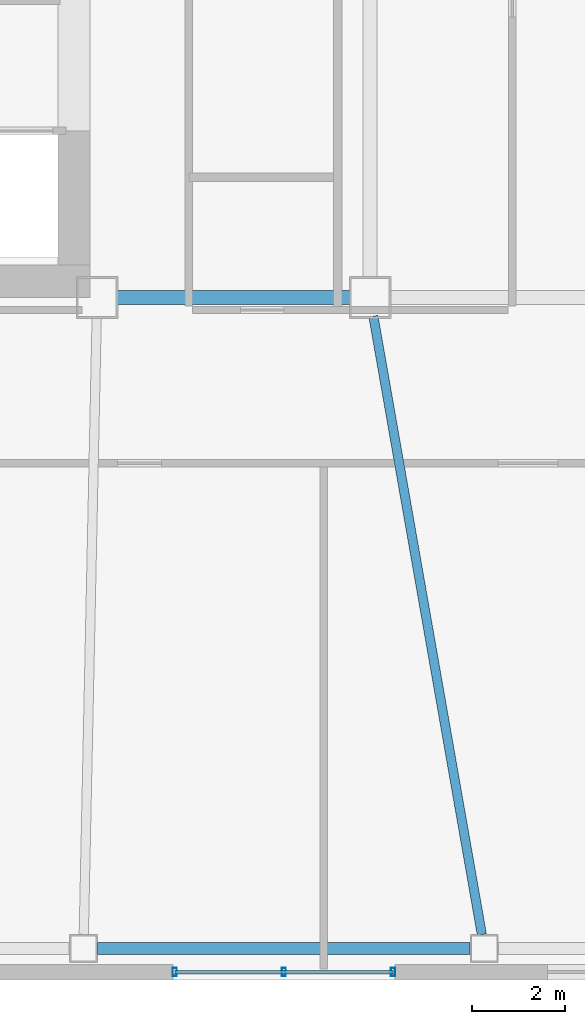
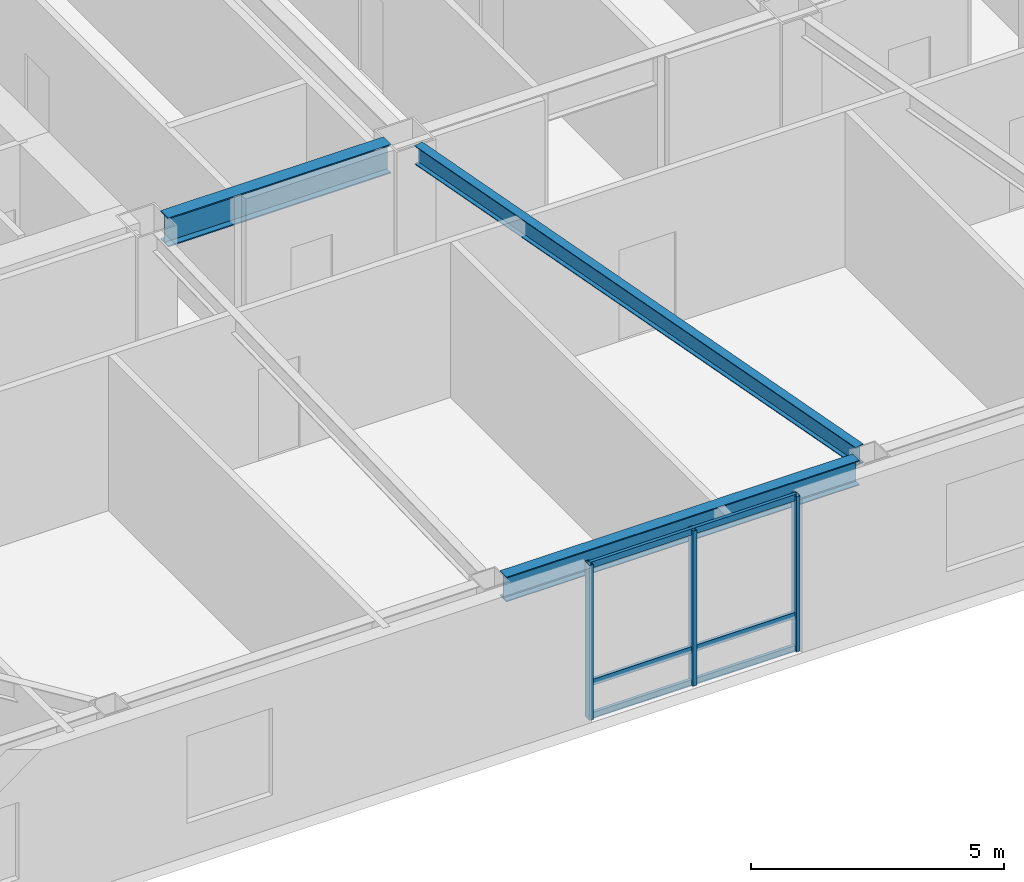
# One storey, part 2 of 18: 6 members, 3 beams, 1 element without a shape of its own.
"""IFC4 building model written with IfcOpenShell, lengths in metres."""

from ifc_helpers import new_model, si_unit, direction, frame, origin, origin_2d, place, context, subcontext, project, spatial, hollow_rectangle, i_section, extrude, material, layer, layer_set, material_profile, profile_set, type_object, element, aggregate, save


model = new_model("IFC4")

# Units and contexts
model_context = context("Model", 3, precision=1e-05, world=origin(), true_north=direction((0.0, 1.0)))
body_context = subcontext(model_context, "Body", "Model", "MODEL_VIEW")
ifc_project = project(units=[si_unit("LENGTHUNIT", "METRE"), si_unit("AREAUNIT", "SQUARE_METRE"), si_unit("VOLUMEUNIT", "CUBIC_METRE"), si_unit("PLANEANGLEUNIT", "RADIAN"), si_unit("MASSUNIT", "GRAM", prefix="KILO")], contexts=[model_context])

# Site, building, storey
site_placement = place(None, origin())
site = spatial("IfcSite", under=ifc_project, at=site_placement, CompositionType="ELEMENT")
building_placement = place(site_placement, origin())
building = spatial("IfcBuilding", under=site, at=building_placement, Name="Tavrogorsk Clinical Tower", CompositionType="ELEMENT")
storey_placement = place(building_placement, frame((0.0, 0.0, 196.199951171875)))
storey = spatial("IfcBuildingStorey", under=building, at=storey_placement, Name="L45", CompositionType="ELEMENT", Elevation=196.199951171875)

# Curtain wall, members
ifc_material_1 = material(Name="Anodised aluminium and triple IGU glazing", Category="aluminium")
ifc_layer = layer(ifc_material_1, 0.179931640625)
ifc_layer_set = layer_set([ifc_layer], Name="Anodised aluminium and triple IGU glazing")
curtain_wall_type = type_object("IfcCurtainWallType", Name="CW3_SouthSlot", PredefinedType="NOTDEFINED", material=ifc_layer_set)
curtain_wall_placement = place(storey_placement, origin())
curtain_wall = element("IfcCurtainWall", 1, at=curtain_wall_placement, inside=storey, type_object=curtain_wall_type, Name="L45 Curtain Wall CW-L45-S-SLOT-1", PredefinedType="NOTDEFINED")
ifc_material_2 = material(Name="Anodised aluminium alloy AW-6060", Category="aluminium")
ifc_material_profile_1 = material_profile(ifc_material_2, hollow_rectangle(XDim=0.090087890625, YDim=0.179931640625, WallThickness=0.00634765625, at=origin_2d()), Name="RHS-180x90x6.3")
ifc_profile_set_1 = profile_set([ifc_material_profile_1], Name="Anodised aluminium alloy AW-6060")
member_type_1 = type_object("IfcMemberType", Name="CwMullion_180x90", PredefinedType="MULLION", material=ifc_profile_set_1)
member_1_placement = place(storey_placement, frame((-8.621826171875, -20.929931640625, 0.0), z_axis=(0.0, 0.0, 1.0), x_axis=(1.0, 0.0, 0.0)))
member_1 = element("IfcMember", 2, at=member_1_placement, type_object=member_type_1, Name="CW-L45-S-SLOT-1 Mullion 1", PredefinedType="MULLION", context=body_context, shape_type="SweptSolid", body=[
    extrude(hollow_rectangle(XDim=0.090087890625, YDim=0.179931640625, WallThickness=0.00634765625, at=origin_2d()), origin(), (0.0, 0.0, 1.0), 3.739990234375),
])
member_2_placement = place(storey_placement, frame((-6.262939453125, -20.929931640625, 0.0), z_axis=(0.0, 0.0, 1.0), x_axis=(1.0, 0.0, 0.0)))
member_2 = element("IfcMember", 3, at=member_2_placement, type_object=member_type_1, Name="CW-L45-S-SLOT-1 Mullion 2", PredefinedType="MULLION", context=body_context, shape_type="SweptSolid", body=[
    extrude(hollow_rectangle(XDim=0.090087890625, YDim=0.179931640625, WallThickness=0.00634765625, at=origin_2d()), origin(), (0.0, 0.0, 1.0), 3.739990234375),
])
member_3_placement = place(storey_placement, frame((-3.90380859375, -20.929931640625, 0.0), z_axis=(0.0, 0.0, 1.0), x_axis=(1.0, 0.0, 0.0)))
member_3 = element("IfcMember", 4, at=member_3_placement, type_object=member_type_1, Name="CW-L45-S-SLOT-1 Mullion 3", PredefinedType="MULLION", context=body_context, shape_type="SweptSolid", body=[
    extrude(hollow_rectangle(XDim=0.090087890625, YDim=0.179931640625, WallThickness=0.00634765625, at=origin_2d()), origin(), (0.0, 0.0, 1.0), 3.739990234375),
])
ifc_material_3 = material(Name="Anodised aluminium alloy AW-6060", Category="aluminium")
ifc_material_profile_2 = material_profile(ifc_material_3, hollow_rectangle(XDim=0.074951171875, YDim=0.14990234375, WallThickness=0.0048828125, at=origin_2d()), Name="RHS-150x75x5")
ifc_profile_set_2 = profile_set([ifc_material_profile_2], Name="Anodised aluminium alloy AW-6060")
member_type_2 = type_object("IfcMemberType", Name="CwTransom_150x75", PredefinedType="USERDEFINED", material=ifc_profile_set_2)
member_4_placement = place(storey_placement, frame((-8.621826171875, -20.929931640625, 0.050048828125), z_axis=(1.0, 0.0, 0.0), x_axis=(0.0, 1.0, 0.0)))
member_4 = element("IfcMember", 5, at=member_4_placement, type_object=member_type_2, Name="CW-L45-S-SLOT-1 Transom 1", ObjectType="TRANSOM", PredefinedType="USERDEFINED", context=body_context, shape_type="SweptSolid", body=[
    extrude(hollow_rectangle(XDim=0.074951171875, YDim=0.14990234375, WallThickness=0.0048828125, at=origin_2d()), origin(), (0.0, 0.0, 1.0), 4.718017578125),
])
member_5_placement = place(storey_placement, frame((-8.621826171875, -20.929931640625, 0.85009765625), z_axis=(1.0, 0.0, 0.0), x_axis=(0.0, 1.0, 0.0)))
member_5 = element("IfcMember", 6, at=member_5_placement, type_object=member_type_2, Name="CW-L45-S-SLOT-1 Transom 2", ObjectType="TRANSOM", PredefinedType="USERDEFINED", context=body_context, shape_type="SweptSolid", body=[
    extrude(hollow_rectangle(XDim=0.074951171875, YDim=0.14990234375, WallThickness=0.0048828125, at=origin_2d()), origin(), (0.0, 0.0, 1.0), 4.718017578125),
])
member_6_placement = place(storey_placement, frame((-8.621826171875, -20.929931640625, 3.68994140625), z_axis=(1.0, 0.0, 0.0), x_axis=(0.0, 1.0, 0.0)))
member_6 = element("IfcMember", 7, at=member_6_placement, type_object=member_type_2, Name="CW-L45-S-SLOT-1 Transom 3", ObjectType="TRANSOM", PredefinedType="USERDEFINED", context=body_context, shape_type="SweptSolid", body=[
    extrude(hollow_rectangle(XDim=0.074951171875, YDim=0.14990234375, WallThickness=0.0048828125, at=origin_2d()), origin(), (0.0, 0.0, 1.0), 4.718017578125),
])
aggregate(curtain_wall, [member_1, member_2, member_3, member_4, member_5, member_6])

# Beams
ifc_material_4 = material(Name="Structural steel S355", Category="steel")
ifc_material_profile_3 = material_profile(ifc_material_4, i_section(OverallWidth=0.199951171875, OverallDepth=0.449951171875, WebThickness=0.011474609375, FlangeThickness=0.01806640625, at=origin_2d()), Name="B-450x200x11.5x18")
ifc_profile_set_3 = profile_set([ifc_material_profile_3], Name="Structural steel S355")
beam_type_1 = type_object("IfcBeamType", Name="FloorBeam_B450", PredefinedType="BEAM", material=ifc_profile_set_3)
beam_1_placement = place(storey_placement, frame((-4.3291015625, -6.75390625, 3.51513671875), z_axis=(0.172808972689, -0.984955358866, 0.0), x_axis=(0.984955358866, 0.172808972689, 0.0)))
element("IfcBeam", 8, at=beam_1_placement, inside=storey, type_object=beam_type_1, Name="L45 Radial Floor Beam S4", PredefinedType="BEAM", context=body_context, shape_type="SweptSolid", body=[
    extrude(i_section(OverallWidth=0.199951171875, OverallDepth=0.449951171875, WebThickness=0.011474609375, FlangeThickness=0.01806640625, at=origin_2d()), origin(), (0.0, 0.0, 1.0), 13.56689453125),
])
ifc_material_5 = material(Name="Structural steel S390", Category="steel")
ifc_material_profile_4 = material_profile(ifc_material_5, i_section(OverallWidth=0.300048828125, OverallDepth=0.699951171875, WebThickness=0.01708984375, FlangeThickness=0.028076171875, at=origin_2d()), Name="B-700x300x17x28")
ifc_profile_set_4 = profile_set([ifc_material_profile_4], Name="Structural steel S390")
beam_type_2 = type_object("IfcBeamType", Name="PrimaryGirder_B700", PredefinedType="USERDEFINED", material=ifc_profile_set_4)
beam_2_placement = place(storey_placement, frame((-9.889892578125, -6.35009765625, 3.39013671875), z_axis=(1.0, 0.0, 0.0), x_axis=(0.0, 1.0, 0.0)))
element("IfcBeam", 9, at=beam_2_placement, inside=storey, type_object=beam_type_2, Name="L45 Primary Spine Girder MG-01", ObjectType="GIRDER", PredefinedType="USERDEFINED", context=body_context, shape_type="SweptSolid", body=[
    extrude(i_section(OverallWidth=0.300048828125, OverallDepth=0.699951171875, WebThickness=0.01708984375, FlangeThickness=0.028076171875, at=origin_2d()), origin(), (0.0, 0.0, 1.0), 5.079833984375),
])
ifc_material_6 = material(Name="Structural steel S390", Category="steel")
ifc_material_profile_5 = material_profile(ifc_material_6, i_section(OverallWidth=0.260009765625, OverallDepth=0.60009765625, WebThickness=0.014892578125, FlangeThickness=0.02392578125, at=origin_2d()), Name="B-600x260x15x24")
ifc_profile_set_5 = profile_set([ifc_material_profile_5], Name="Structural steel S390")
beam_type_3 = type_object("IfcBeamType", Name="SpandrelBeam_B600", PredefinedType="SPANDREL", material=ifc_profile_set_5)
beam_3_placement = place(storey_placement, frame((-10.286376953125, -20.419921875, 3.43994140625), z_axis=(1.0, 0.0, 0.0), x_axis=(0.0, 1.0, 0.0)))
element("IfcBeam", 10, at=beam_3_placement, inside=storey, type_object=beam_type_3, Name="L45 Perimeter Spandrel S3-S4", PredefinedType="SPANDREL", context=body_context, shape_type="SweptSolid", body=[
    extrude(i_section(OverallWidth=0.260009765625, OverallDepth=0.60009765625, WebThickness=0.014892578125, FlangeThickness=0.02392578125, at=origin_2d()), origin(), (0.0, 0.0, 1.0), 8.046875),
])

save(model, "model.ifc")
